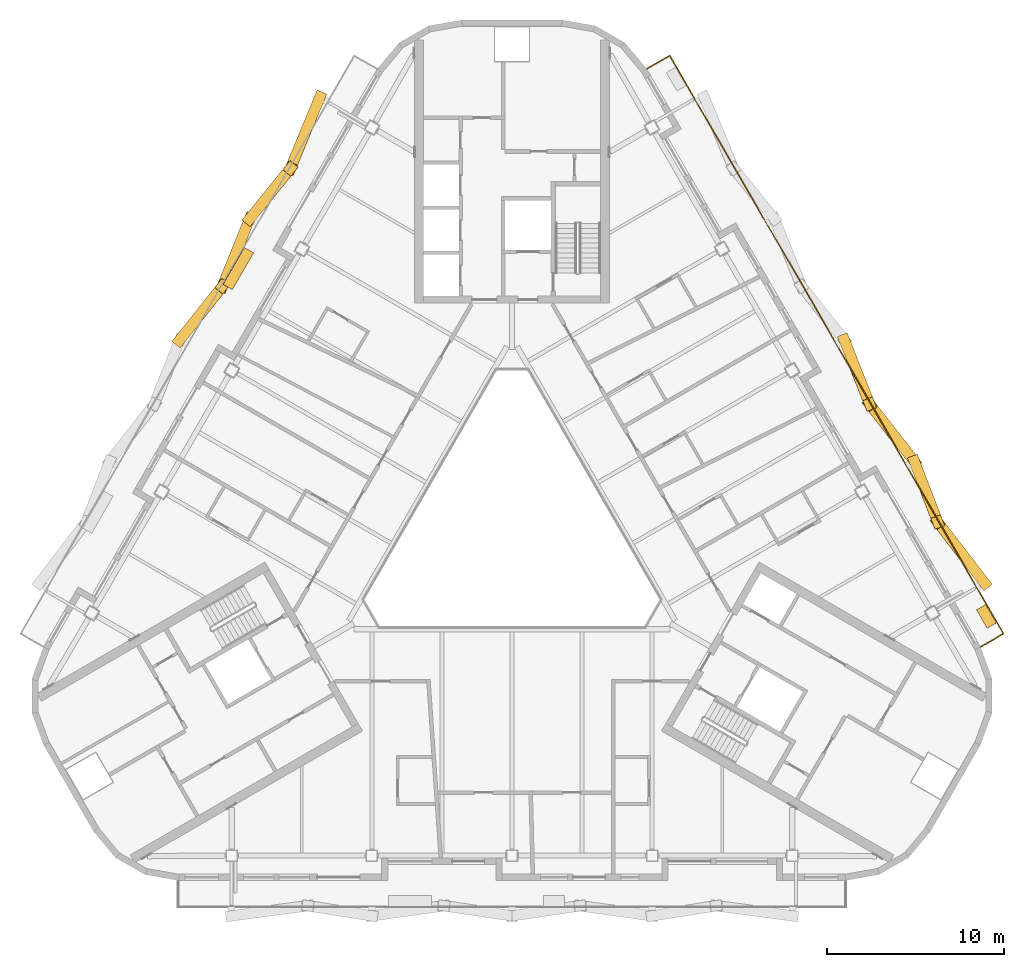
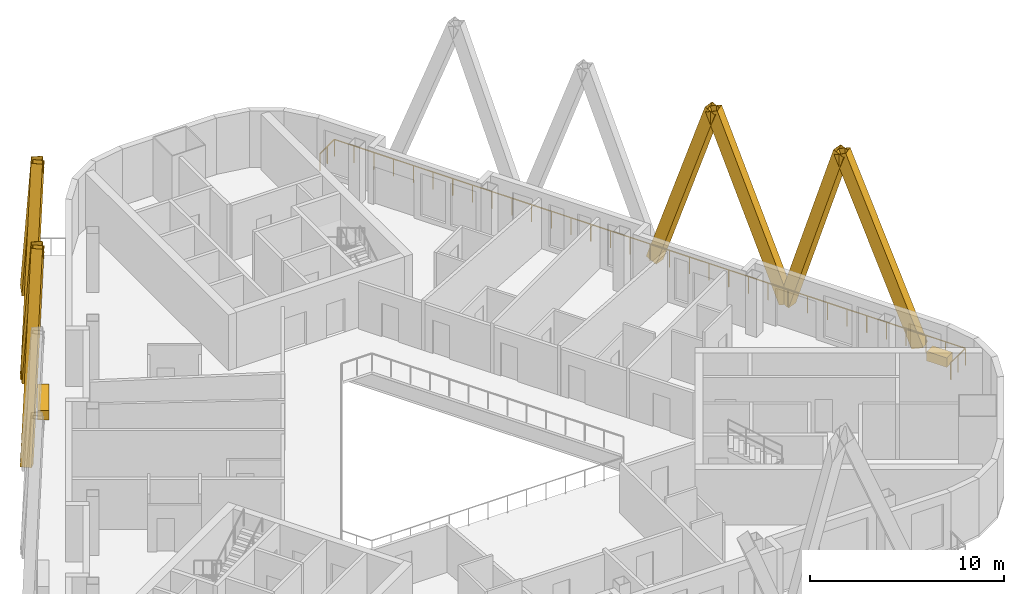
# One storey, part 17 of 18: 8 shading devices, 2 coverings, 1 railing.
"""IFC4 building model written with IfcOpenShell, lengths in metres."""

from ifc_helpers import new_model, si_unit, direction, frame, origin, origin_2d, place, context, subcontext, project, spatial, rectangle, hollow_rectangle, extrude, material, material_profile, profile_set, type_object, element, save


model = new_model("IFC4")

# Units and contexts
model_context = context("Model", 3, precision=1e-05, world=origin(), true_north=direction((0.0, 1.0)))
body_context = subcontext(model_context, "Body", "Model", "MODEL_VIEW")
ifc_project = project(units=[si_unit("LENGTHUNIT", "METRE"), si_unit("AREAUNIT", "SQUARE_METRE"), si_unit("VOLUMEUNIT", "CUBIC_METRE"), si_unit("PLANEANGLEUNIT", "RADIAN"), si_unit("MASSUNIT", "GRAM", prefix="KILO")], contexts=[model_context])

# Site, building, storey
site_placement = place(None, origin())
site = spatial("IfcSite", under=ifc_project, at=site_placement, CompositionType="ELEMENT")
building_placement = place(site_placement, origin())
building = spatial("IfcBuilding", under=site, at=building_placement, Name="Apuvela Tower Hotel", CompositionType="ELEMENT")
storey_placement = place(building_placement, frame((0.0, 0.0, 246.699951171875)))
storey = spatial("IfcBuildingStorey", under=building, at=storey_placement, Name="L60", CompositionType="ELEMENT", Elevation=246.699951171875)

# Shading devices
ifc_material_1 = material(Name="Aluminium 6063-T6, black anodised", Category="aluminium")
ifc_material_profile = material_profile(ifc_material_1, hollow_rectangle(XDim=0.60009765625, YDim=0.699951171875, WallThickness=0.011962890625, at=origin_2d()), Name="AL BOX 700x600x12")
ifc_profile_set = profile_set([ifc_material_profile], Name="Aluminium 6063-T6, black anodised")
shading_device_type = type_object("IfcShadingDeviceType", Name="ENV-FIN-700x600", PredefinedType="USERDEFINED", material=ifc_profile_set)
shading_device_1_placement = place(storey_placement, frame((26.632080078125, -2.8681640625, -0.099853515625), z_axis=(-0.221347554958, 0.28819033632, 0.931639195164), x_axis=(-0.793072380955, -0.609127407499, 0.0)))
element("IfcShadingDevice", 1, at=shading_device_1_placement, inside=storey, type_object=shading_device_type, Name="Lattice fin NE561", ObjectType="FIN", PredefinedType="USERDEFINED", context=body_context, shape_type="SweptSolid", body=[
    extrude(hollow_rectangle(XDim=0.60009765625, YDim=0.699951171875, WallThickness=0.011962890625, at=origin_2d()), origin(), (0.0, 0.0, 1.0), 11.914306640625),
])
shading_device_2_placement = place(storey_placement, frame((22.68212890625, 3.973388671875, -0.099853515625), z_axis=(0.112342326293, -0.291647114138, 0.949905870357), x_axis=(0.933162853246, 0.359453876488, 0.0)))
element("IfcShadingDevice", 2, at=shading_device_2_placement, inside=storey, type_object=shading_device_type, Name="Lattice fin NE562", ObjectType="FIN", PredefinedType="USERDEFINED", context=body_context, shape_type="SweptSolid", body=[
    extrude(hollow_rectangle(XDim=0.60009765625, YDim=0.699951171875, WallThickness=0.011962890625, at=origin_2d()), origin(), (0.0, 0.0, 1.0), 11.685302734375),
])
shading_device_3_placement = place(storey_placement, frame((22.68212890625, 3.973388671875, -0.099853515625), z_axis=(-0.213214121661, 0.273454589513, 0.937956462635), x_axis=(-0.788614818164, -0.61488752514, 0.0)))
element("IfcShadingDevice", 3, at=shading_device_3_placement, inside=storey, type_object=shading_device_type, Name="Lattice fin NE563", ObjectType="FIN", PredefinedType="USERDEFINED", context=body_context, shape_type="SweptSolid", body=[
    extrude(hollow_rectangle(XDim=0.60009765625, YDim=0.699951171875, WallThickness=0.011962890625, at=origin_2d()), origin(), (0.0, 0.0, 1.0), 11.833984375),
])
shading_device_4_placement = place(storey_placement, frame((18.732177734375, 10.81494140625, -0.099853515625), z_axis=(0.121347430225, -0.306649358242, 0.944055598081), x_axis=(0.92984252019, 0.367957725352, 0.0)))
element("IfcShadingDevice", 4, at=shading_device_4_placement, inside=storey, type_object=shading_device_type, Name="Lattice fin NE564", ObjectType="FIN", PredefinedType="USERDEFINED", context=body_context, shape_type="SweptSolid", body=[
    extrude(hollow_rectangle(XDim=0.60009765625, YDim=0.699951171875, WallThickness=0.011962890625, at=origin_2d()), origin(), (0.0, 0.0, 1.0), 11.757568359375),
])
shading_device_5_placement = place(storey_placement, frame((-10.83203125, 24.498291015625, -0.099853515625), z_axis=(-0.138929725127, -0.335808309054, 0.931628311639), x_axis=(0.92404155986, -0.382292029281, 0.0)))
element("IfcShadingDevice", 5, at=shading_device_5_placement, inside=storey, type_object=shading_device_type, Name="Lattice fin NW593", ObjectType="FIN", PredefinedType="USERDEFINED", context=body_context, shape_type="SweptSolid", body=[
    extrude(hollow_rectangle(XDim=0.60009765625, YDim=0.699951171875, WallThickness=0.011962890625, at=origin_2d()), origin(), (0.0, 0.0, 1.0), 11.91455078125),
])
shading_device_6_placement = place(storey_placement, frame((-14.781982421875, 17.656494140625, -0.099853515625), z_axis=(0.196375674893, 0.243113879462, 0.949911699014), x_axis=(-0.777918555718, 0.628365117325, 0.0)))
element("IfcShadingDevice", 6, at=shading_device_6_placement, inside=storey, type_object=shading_device_type, Name="Lattice fin NW594", ObjectType="FIN", PredefinedType="USERDEFINED", context=body_context, shape_type="SweptSolid", body=[
    extrude(hollow_rectangle(XDim=0.60009765625, YDim=0.699951171875, WallThickness=0.011962890625, at=origin_2d()), origin(), (0.0, 0.0, 1.0), 11.68505859375),
])
shading_device_7_placement = place(storey_placement, frame((-14.781982421875, 17.656494140625, -0.099853515625), z_axis=(-0.130219072709, -0.321359710962, 0.937961048911), x_axis=(0.926801403777, -0.375551804625, 0.0)))
element("IfcShadingDevice", 7, at=shading_device_7_placement, inside=storey, type_object=shading_device_type, Name="Lattice fin NW595", ObjectType="FIN", PredefinedType="USERDEFINED", context=body_context, shape_type="SweptSolid", body=[
    extrude(hollow_rectangle(XDim=0.60009765625, YDim=0.699951171875, WallThickness=0.011962890625, at=origin_2d()), origin(), (0.0, 0.0, 1.0), 11.833984375),
])
shading_device_8_placement = place(storey_placement, frame((-18.732177734375, 10.81494140625, -0.099853515625), z_axis=(0.204902056473, 0.258432407262, 0.944048641824), x_axis=(-0.783588570734, 0.621280091275, 0.0)))
element("IfcShadingDevice", 8, at=shading_device_8_placement, inside=storey, type_object=shading_device_type, Name="Lattice fin NW596", ObjectType="FIN", PredefinedType="USERDEFINED", context=body_context, shape_type="SweptSolid", body=[
    extrude(hollow_rectangle(XDim=0.60009765625, YDim=0.699951171875, WallThickness=0.011962890625, at=origin_2d()), origin(), (0.0, 0.0, 1.0), 11.7578125),
])

# Railing
ifc_material_2 = material(Name="Stainless steel 316 rail with laminated glass infill", Category="steel")
railing_type = type_object("IfcRailingType", Name="ENV-GUARD-1100", PredefinedType="GUARDRAIL", material=ifc_material_2)
railing_placement = place(storey_placement, frame((26.407958984375, -6.47998046875, 0.0)))
element("IfcRailing", 9, at=railing_placement, inside=storey, type_object=railing_type, Name="Balcony guard NE L60", PredefinedType="GUARDRAIL", context=body_context, shape_type="SweptSolid", body=[
    extrude(rectangle(XDim=0.050048828125, YDim=0.050048828125, at=origin_2d()), frame((0.0, 0.0, 1.0751953125), z_axis=(0.866031096941, 0.499990139034, 0.0), x_axis=(-0.499990139034, 0.866031096941, 0.0)), (0.0, 0.0, 1.0), 1.5),
    extrude(rectangle(XDim=0.050048828125, YDim=0.050048828125, at=origin_2d()), frame((1.299072265625, 0.75, 1.0751953125), z_axis=(-0.500000437506, 0.86602515119, 0.0), x_axis=(-0.86602515119, -0.500000437506, 0.0)), (0.0, 0.0, 1.0), 37.6318359375),
    extrude(rectangle(XDim=0.050048828125, YDim=0.050048828125, at=origin_2d()), frame((-17.516845703125, 33.340087890625, 1.0751953125), z_axis=(-0.86599040064, -0.500060622324, 0.0), x_axis=(0.500060622324, -0.86599040064, 0.0)), (0.0, 0.0, 1.0), 1.499755859375),
    extrude(rectangle(XDim=0.0400390625, YDim=0.0400390625, at=origin_2d()), origin(), (0.0, 0.0, 1.0), 1.050048828125),
    extrude(rectangle(XDim=0.0400390625, YDim=0.0400390625, at=origin_2d()), frame((0.6494140625, 0.375, 0.0)), (0.0, 0.0, 1.0), 1.050048828125),
    extrude(rectangle(XDim=0.0400390625, YDim=0.0400390625, at=origin_2d()), frame((1.299072265625, 0.75, 0.0)), (0.0, 0.0, 1.0), 1.050048828125),
    extrude(rectangle(XDim=0.0400390625, YDim=0.0400390625, at=origin_2d()), frame((0.711181640625, 1.7685546875, 0.0)), (0.0, 0.0, 1.0), 1.050048828125),
    extrude(rectangle(XDim=0.0400390625, YDim=0.0400390625, at=origin_2d()), frame((0.123046875, 2.786865234375, 0.0)), (0.0, 0.0, 1.0), 1.050048828125),
    extrude(rectangle(XDim=0.0400390625, YDim=0.0400390625, at=origin_2d()), frame((-0.46484375, 3.805419921875, 0.0)), (0.0, 0.0, 1.0), 1.050048828125),
    extrude(rectangle(XDim=0.0400390625, YDim=0.0400390625, at=origin_2d()), frame((-1.052978515625, 4.82373046875, 0.0)), (0.0, 0.0, 1.0), 1.050048828125),
    extrude(rectangle(XDim=0.0400390625, YDim=0.0400390625, at=origin_2d()), frame((-1.640869140625, 5.84228515625, 0.0)), (0.0, 0.0, 1.0), 1.050048828125),
    extrude(rectangle(XDim=0.0400390625, YDim=0.0400390625, at=origin_2d()), frame((-2.22900390625, 6.860595703125, 0.0)), (0.0, 0.0, 1.0), 1.050048828125),
    extrude(rectangle(XDim=0.0400390625, YDim=0.0400390625, at=origin_2d()), frame((-2.81689453125, 7.879150390625, 0.0)), (0.0, 0.0, 1.0), 1.050048828125),
    extrude(rectangle(XDim=0.0400390625, YDim=0.0400390625, at=origin_2d()), frame((-3.40478515625, 8.8974609375, 0.0)), (0.0, 0.0, 1.0), 1.050048828125),
    extrude(rectangle(XDim=0.0400390625, YDim=0.0400390625, at=origin_2d()), frame((-3.992919921875, 9.916015625, 0.0)), (0.0, 0.0, 1.0), 1.050048828125),
    extrude(rectangle(XDim=0.0400390625, YDim=0.0400390625, at=origin_2d()), frame((-4.580810546875, 10.934326171875, 0.0)), (0.0, 0.0, 1.0), 1.050048828125),
    extrude(rectangle(XDim=0.0400390625, YDim=0.0400390625, at=origin_2d()), frame((-5.1689453125, 11.952880859375, 0.0)), (0.0, 0.0, 1.0), 1.050048828125),
    extrude(rectangle(XDim=0.0400390625, YDim=0.0400390625, at=origin_2d()), frame((-5.7568359375, 12.97119140625, 0.0)), (0.0, 0.0, 1.0), 1.050048828125),
    extrude(rectangle(XDim=0.0400390625, YDim=0.0400390625, at=origin_2d()), frame((-6.344970703125, 13.98974609375, 0.0)), (0.0, 0.0, 1.0), 1.050048828125),
    extrude(rectangle(XDim=0.0400390625, YDim=0.0400390625, at=origin_2d()), frame((-6.932861328125, 15.008056640625, 0.0)), (0.0, 0.0, 1.0), 1.050048828125),
    extrude(rectangle(XDim=0.0400390625, YDim=0.0400390625, at=origin_2d()), frame((-7.52099609375, 16.026611328125, 0.0)), (0.0, 0.0, 1.0), 1.050048828125),
    extrude(rectangle(XDim=0.0400390625, YDim=0.0400390625, at=origin_2d()), frame((-8.10888671875, 17.044921875, 0.0)), (0.0, 0.0, 1.0), 1.050048828125),
    extrude(rectangle(XDim=0.0400390625, YDim=0.0400390625, at=origin_2d()), frame((-8.69677734375, 18.0634765625, 0.0)), (0.0, 0.0, 1.0), 1.050048828125),
    extrude(rectangle(XDim=0.0400390625, YDim=0.0400390625, at=origin_2d()), frame((-9.284912109375, 19.08203125, 0.0)), (0.0, 0.0, 1.0), 1.050048828125),
    extrude(rectangle(XDim=0.0400390625, YDim=0.0400390625, at=origin_2d()), frame((-9.872802734375, 20.100341796875, 0.0)), (0.0, 0.0, 1.0), 1.050048828125),
    extrude(rectangle(XDim=0.0400390625, YDim=0.0400390625, at=origin_2d()), frame((-10.4609375, 21.118896484375, 0.0)), (0.0, 0.0, 1.0), 1.050048828125),
    extrude(rectangle(XDim=0.0400390625, YDim=0.0400390625, at=origin_2d()), frame((-11.048828125, 22.13720703125, 0.0)), (0.0, 0.0, 1.0), 1.050048828125),
    extrude(rectangle(XDim=0.0400390625, YDim=0.0400390625, at=origin_2d()), frame((-11.636962890625, 23.15576171875, 0.0)), (0.0, 0.0, 1.0), 1.050048828125),
    extrude(rectangle(XDim=0.0400390625, YDim=0.0400390625, at=origin_2d()), frame((-12.224853515625, 24.174072265625, 0.0)), (0.0, 0.0, 1.0), 1.050048828125),
    extrude(rectangle(XDim=0.0400390625, YDim=0.0400390625, at=origin_2d()), frame((-12.81298828125, 25.192626953125, 0.0)), (0.0, 0.0, 1.0), 1.050048828125),
    extrude(rectangle(XDim=0.0400390625, YDim=0.0400390625, at=origin_2d()), frame((-13.40087890625, 26.2109375, 0.0)), (0.0, 0.0, 1.0), 1.050048828125),
    extrude(rectangle(XDim=0.0400390625, YDim=0.0400390625, at=origin_2d()), frame((-13.98876953125, 27.2294921875, 0.0)), (0.0, 0.0, 1.0), 1.050048828125),
    extrude(rectangle(XDim=0.0400390625, YDim=0.0400390625, at=origin_2d()), frame((-14.576904296875, 28.247802734375, 0.0)), (0.0, 0.0, 1.0), 1.050048828125),
    extrude(rectangle(XDim=0.0400390625, YDim=0.0400390625, at=origin_2d()), frame((-15.164794921875, 29.266357421875, 0.0)), (0.0, 0.0, 1.0), 1.050048828125),
    extrude(rectangle(XDim=0.0400390625, YDim=0.0400390625, at=origin_2d()), frame((-15.7529296875, 30.28466796875, 0.0)), (0.0, 0.0, 1.0), 1.050048828125),
    extrude(rectangle(XDim=0.0400390625, YDim=0.0400390625, at=origin_2d()), frame((-16.3408203125, 31.30322265625, 0.0)), (0.0, 0.0, 1.0), 1.050048828125),
    extrude(rectangle(XDim=0.0400390625, YDim=0.0400390625, at=origin_2d()), frame((-16.928955078125, 32.321533203125, 0.0)), (0.0, 0.0, 1.0), 1.050048828125),
    extrude(rectangle(XDim=0.0400390625, YDim=0.0400390625, at=origin_2d()), frame((-17.516845703125, 33.340087890625, 0.0)), (0.0, 0.0, 1.0), 1.050048828125),
    extrude(rectangle(XDim=0.0400390625, YDim=0.0400390625, at=origin_2d()), frame((-18.166259765625, 32.965087890625, 0.0)), (0.0, 0.0, 1.0), 1.050048828125),
    extrude(rectangle(XDim=0.0400390625, YDim=0.0400390625, at=origin_2d()), frame((-18.815673828125, 32.590087890625, 0.0)), (0.0, 0.0, 1.0), 1.050048828125),
])

# Coverings
ifc_material_3 = material(Name="Planting substrate and soil, planted")
covering_type_1 = type_object("IfcCoveringType", Name="ENV-PLANTER-1200x600", PredefinedType="USERDEFINED", material=ifc_material_3)
covering_1_placement = place(storey_placement, frame((26.739013671875, -4.753173828125, 0.0), z_axis=(0.0, 0.0, 1.0), x_axis=(-0.5, 0.866025403784, 0.0)))
element("IfcCovering", 10, at=covering_1_placement, inside=storey, type_object=covering_type_1, Name="Planter NE3", ObjectType="PLANTER", PredefinedType="USERDEFINED", context=body_context, shape_type="SweptSolid", body=[
    extrude(rectangle(XDim=1.199951171875, YDim=0.60009765625, at=origin_2d()), origin(), (0.0, 0.0, 1.0), 0.60009765625),
])
covering_type_2 = type_object("IfcCoveringType", Name="ENV-PLANTER-2400x600", PredefinedType="USERDEFINED", material=ifc_material_3)
covering_2_placement = place(storey_placement, frame((-15.4208984375, 14.85009765625, 0.0), z_axis=(0.0, 0.0, 1.0), x_axis=(-0.5, -0.866025403784, 0.0)))
element("IfcCovering", 11, at=covering_2_placement, inside=storey, type_object=covering_type_2, Name="Planter NW5", ObjectType="PLANTER", PredefinedType="USERDEFINED", context=body_context, shape_type="SweptSolid", body=[
    extrude(rectangle(XDim=2.39990234375, YDim=0.60009765625, at=origin_2d()), origin(), (0.0, 0.0, 1.0), 0.60009765625),
])

save(model, "model.ifc")
